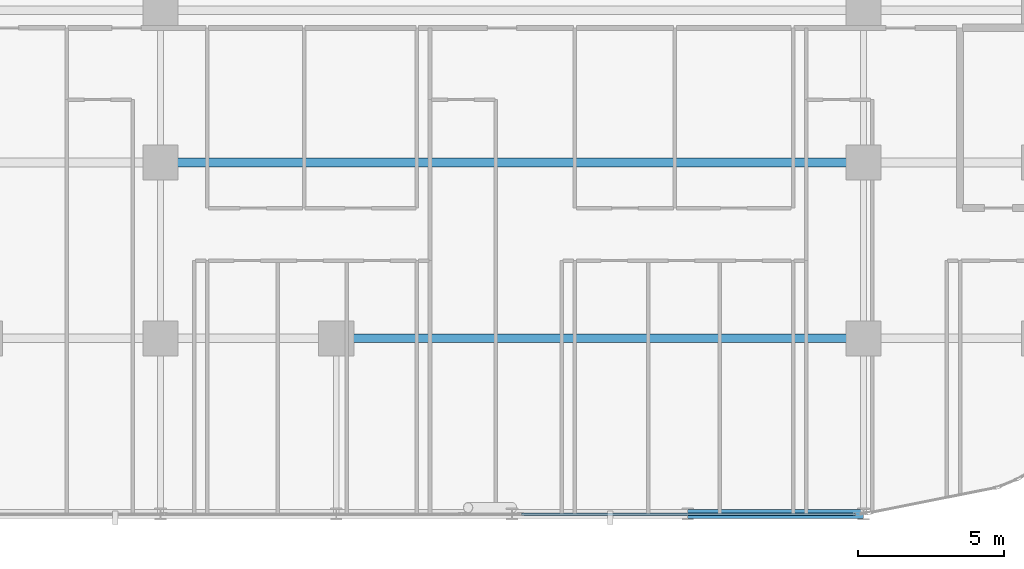
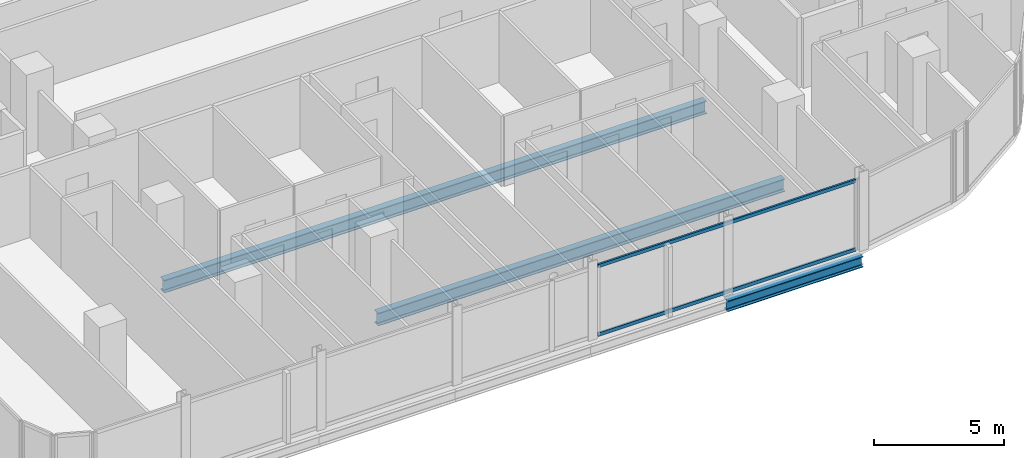
# One storey, part 9 of 34: 3 beams, 2 members, 1 element without a shape of its own.
"""IFC4 building model written with IfcOpenShell, lengths in metres."""

from ifc_helpers import new_model, si_unit, direction, frame, origin, origin_2d, place, context, subcontext, project, spatial, hollow_rectangle, i_section, extrude, material, layer, layer_set, material_profile, profile_set, type_object, element, aggregate, save


model = new_model("IFC4")

# Units and contexts
model_context = context("Model", 3, precision=1e-05, world=origin(), true_north=direction((0.0, 1.0)))
body_context = subcontext(model_context, "Body", "Model", "MODEL_VIEW")
ifc_project = project(units=[si_unit("LENGTHUNIT", "METRE"), si_unit("AREAUNIT", "SQUARE_METRE"), si_unit("VOLUMEUNIT", "CUBIC_METRE"), si_unit("PLANEANGLEUNIT", "RADIAN"), si_unit("MASSUNIT", "GRAM", prefix="KILO")], contexts=[model_context])

# Site, building, storey
site_placement = place(None, origin())
site = spatial("IfcSite", under=ifc_project, at=site_placement, CompositionType="ELEMENT")
building_placement = place(site_placement, origin())
building = spatial("IfcBuilding", under=site, at=building_placement, Name="Keshet Zoharim Tower", CompositionType="ELEMENT")
storey_placement = place(building_placement, frame((0.0, 0.0, 77.5)))
storey = spatial("IfcBuildingStorey", under=building, at=storey_placement, Name="L18", CompositionType="ELEMENT", Elevation=77.5)

# Beams
ifc_material_1 = material(Name="Steel S355", Category="steel")
ifc_material_profile_1 = material_profile(ifc_material_1, i_section(OverallWidth=0.300048828125, OverallDepth=0.60009765625, WebThickness=0.015380859375, FlangeThickness=0.030029296875, FilletRadius=0.027099609375, at=origin_2d()), Name="HEB600")
ifc_profile_set_1 = profile_set([ifc_material_profile_1], Name="Steel S355")
beam_type_1 = type_object("IfcBeamType", Name="BM-LNG-HB600", PredefinedType="BEAM", material=ifc_profile_set_1)
beam_1_placement = place(storey_placement, frame((39.0, 6.699951171875, -0.614990234375), z_axis=(1.0, 0.0, 0.0), x_axis=(0.0, 1.0, 0.0)))
element("IfcBeam", 1, at=beam_1_placement, inside=storey, type_object=beam_type_1, Name="L18 Primary Girder X-009", PredefinedType="BEAM", context=body_context, shape_type="SweptSolid", body=[
    extrude(i_section(OverallWidth=0.300048828125, OverallDepth=0.60009765625, WebThickness=0.015380859375, FlangeThickness=0.030029296875, FilletRadius=0.027099609375, at=origin_2d()), origin(), (0.0, 0.0, 1.0), 18.0),
])
beam_2_placement = place(storey_placement, frame((33.0, 12.699951171875, -0.614990234375), z_axis=(1.0, 0.0, 0.0), x_axis=(0.0, 1.0, 0.0)))
element("IfcBeam", 2, at=beam_2_placement, inside=storey, type_object=beam_type_1, Name="L18 Primary Girder X-012", PredefinedType="BEAM", context=body_context, shape_type="SweptSolid", body=[
    extrude(i_section(OverallWidth=0.300048828125, OverallDepth=0.60009765625, WebThickness=0.015380859375, FlangeThickness=0.030029296875, FilletRadius=0.027099609375, at=origin_2d()), origin(), (0.0, 0.0, 1.0), 24.0),
])
ifc_material_profile_2 = material_profile(ifc_material_1, i_section(OverallWidth=0.300048828125, OverallDepth=0.5, WebThickness=0.014404296875, FlangeThickness=0.028076171875, FilletRadius=0.027099609375, at=origin_2d()), Name="HEB500")
ifc_profile_set_2 = profile_set([ifc_material_profile_2], Name="Steel S355")
beam_type_2 = type_object("IfcBeamType", Name="BM-WEB-HB500", PredefinedType="BEAM", material=ifc_profile_set_2)
beam_3_placement = place(storey_placement, frame((51.0, 0.699951171875, -0.56494140625), z_axis=(1.0, 0.0, 0.0), x_axis=(0.0, 1.0, 0.0)))
element("IfcBeam", 3, at=beam_3_placement, inside=storey, type_object=beam_type_2, Name="L18 Primary Girder X-005", PredefinedType="BEAM", context=body_context, shape_type="SweptSolid", body=[
    extrude(i_section(OverallWidth=0.300048828125, OverallDepth=0.5, WebThickness=0.014404296875, FlangeThickness=0.028076171875, FilletRadius=0.027099609375, at=origin_2d()), origin(), (0.0, 0.0, 1.0), 6.0),
])

# Curtain wall, members
ifc_material_2 = material(Name="Aluminium 6063-T6", Category="aluminium")
ifc_layer = layer(ifc_material_2, 0.179931640625)
ifc_layer_set = layer_set([ifc_layer], Name="Aluminium 6063-T6")
curtain_wall_type = type_object("IfcCurtainWallType", Name="CW-SYS-01", PredefinedType="NOTDEFINED", material=ifc_layer_set)
curtain_wall_placement = place(storey_placement, origin())
curtain_wall = element("IfcCurtainWall", 4, at=curtain_wall_placement, inside=storey, type_object=curtain_wall_type, Name="L18 Unitised Curtain Wall 26", PredefinedType="NOTDEFINED")
ifc_material_profile_3 = material_profile(ifc_material_2, hollow_rectangle(XDim=0.0849609375, YDim=0.159912109375, WallThickness=0.00439453125, at=origin_2d()), Name="TRN-85x160")
ifc_profile_set_3 = profile_set([ifc_material_profile_3], Name="Aluminium 6063-T6")
member_type = type_object("IfcMemberType", Name="CWT-T16", PredefinedType="USERDEFINED", material=ifc_profile_set_3)
member_1_placement = place(storey_placement, frame((56.73291015625, 0.699951171875, 0.034912109375), z_axis=(-1.0, 0.0, 0.0), x_axis=(0.0, -1.0, 0.0)))
member_1 = element("IfcMember", 5, at=member_1_placement, type_object=member_type, Name="CW-01 transom 1.1", ObjectType="TRANSOM", PredefinedType="USERDEFINED", context=body_context, shape_type="SweptSolid", body=[
    extrude(hollow_rectangle(XDim=0.0849609375, YDim=0.159912109375, WallThickness=0.00439453125, at=origin_2d()), origin(), (0.0, 0.0, 1.0), 11.401123046875),
])
member_2_placement = place(storey_placement, frame((56.73291015625, 0.699951171875, 3.2451171875), z_axis=(-1.0, 0.0, 0.0), x_axis=(0.0, -1.0, 0.0)))
member_2 = element("IfcMember", 6, at=member_2_placement, type_object=member_type, Name="CW-01 transom 1.2", ObjectType="TRANSOM", PredefinedType="USERDEFINED", context=body_context, shape_type="SweptSolid", body=[
    extrude(hollow_rectangle(XDim=0.0849609375, YDim=0.159912109375, WallThickness=0.00439453125, at=origin_2d()), origin(), (0.0, 0.0, 1.0), 11.401123046875),
])
aggregate(curtain_wall, [member_1, member_2])

save(model, "model.ifc")
